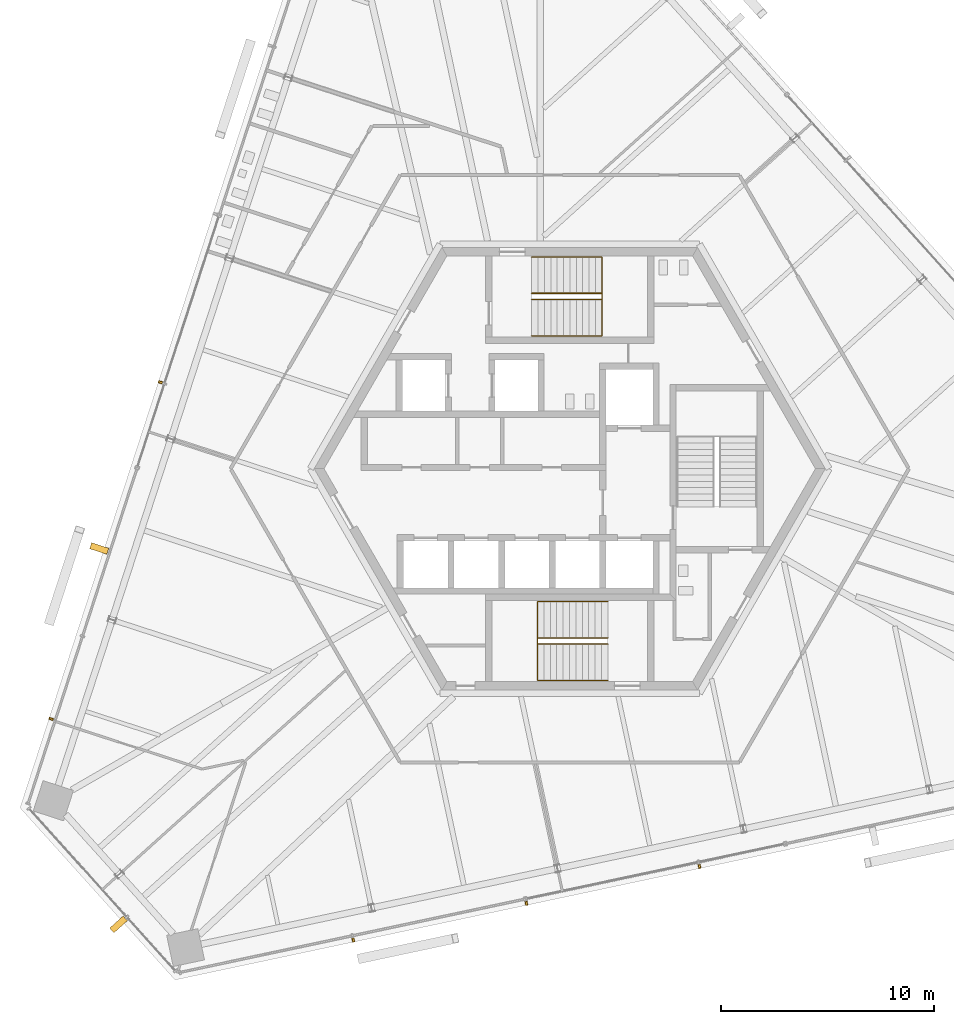
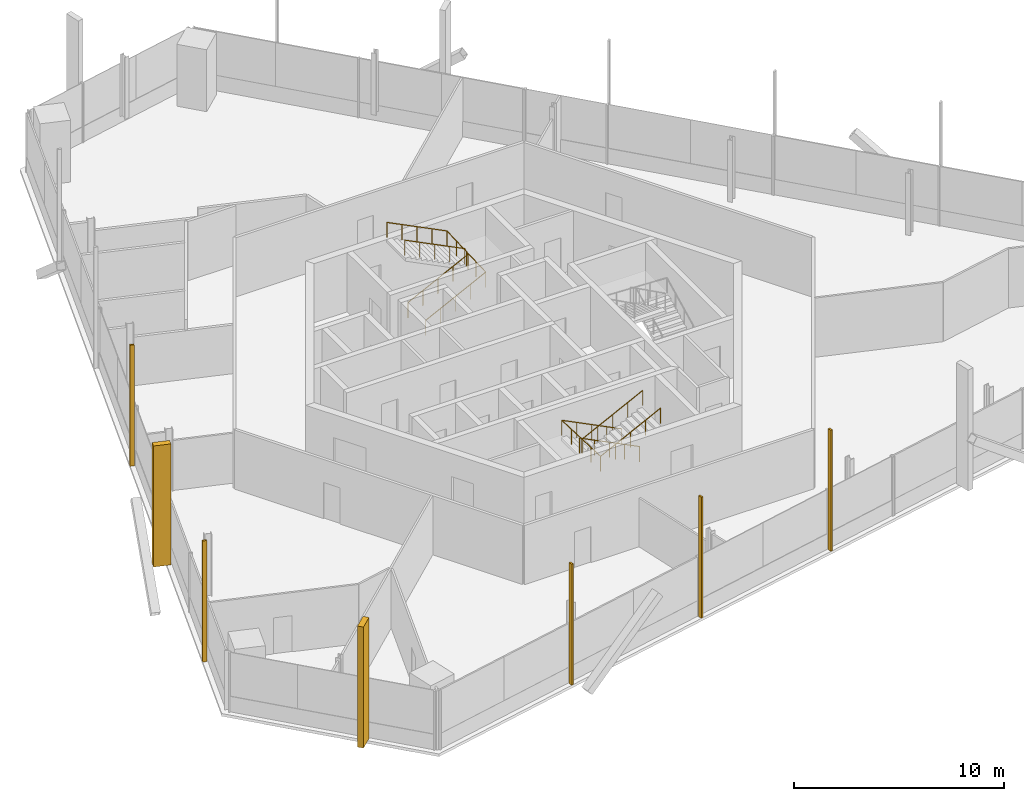
# One storey, part 13 of 16: 7 shading devices, 4 railings.
"""IFC4 building model written with IfcOpenShell, lengths in metres."""

from ifc_helpers import new_model, si_unit, direction, frame, origin, origin_2d, place, context, subcontext, project, spatial, rectangle, circle, extrude, source, transform, mapped, material, type_object, element, save


model = new_model("IFC4")

# Units and contexts
model_context = context("Model", 3, precision=1e-05, world=origin(), true_north=direction((0.0, 1.0)))
body_context = subcontext(model_context, "Body", "Model", "MODEL_VIEW")
ifc_project = project(units=[si_unit("LENGTHUNIT", "METRE"), si_unit("AREAUNIT", "SQUARE_METRE"), si_unit("VOLUMEUNIT", "CUBIC_METRE"), si_unit("PLANEANGLEUNIT", "RADIAN"), si_unit("MASSUNIT", "GRAM", prefix="KILO")], contexts=[model_context])

# Site, building, storey
site_placement = place(None, origin())
site = spatial("IfcSite", under=ifc_project, at=site_placement, CompositionType="ELEMENT")
building_placement = place(site_placement, origin())
building = spatial("IfcBuilding", under=site, at=building_placement, Name="Triune Harvest Tower", CompositionType="ELEMENT")
storey_placement = place(building_placement, frame((0.0, 0.0, 266.699951171875)))
storey = spatial("IfcBuildingStorey", under=building, at=storey_placement, Name="L70", CompositionType="ELEMENT", Elevation=266.699951171875)

# Railings
ifc_material_1 = material(Name="Stainless steel AISI 316", Category="steel")
railing_type = type_object("IfcRailingType", Name="Stair handrail", PredefinedType="HANDRAIL", material=ifc_material_1)
shared_shape_1 = source(origin(), body_context, "Body", "SweptSolid", [
    extrude(circle(Radius=0.02392578125, at=origin_2d()), frame((0.0, 0.0, 0.8759765625), z_axis=(0.894440424912, 0.0, 0.447187126696), x_axis=(0.0, 1.0, 0.0)), (0.0, 0.0, 1.0), 3.689453125),
    extrude(circle(Radius=0.02392578125, at=origin_2d()), frame((3.300048828125, 0.0, 2.52587890625), z_axis=(0.0, 0.999180289278, 0.040481471304), x_axis=(-1.0, 0.0, 0.0)), (0.0, 0.0, 1.0), 3.702880859375),
    extrude(circle(Radius=0.02392578125, at=origin_2d()), frame((3.300048828125, 3.699951171875, 2.67578125), z_axis=(-0.894413956696, 0.0, 0.447240063129), x_axis=(0.0, -1.0, 0.0)), (0.0, 0.0, 1.0), 3.689697265625),
    extrude(circle(Radius=0.02099609375, at=origin_2d()), origin(), (0.0, 0.0, 1.0), 0.851806640625),
    extrude(circle(Radius=0.02099609375, at=origin_2d()), frame((0.824951171875, 0.0, 0.41259765625)), (0.0, 0.0, 1.0), 0.851806640625),
    extrude(circle(Radius=0.02099609375, at=origin_2d()), frame((1.64990234375, 0.0, 0.824951171875)), (0.0, 0.0, 1.0), 0.851806640625),
    extrude(circle(Radius=0.02099609375, at=origin_2d()), frame((2.47509765625, 0.0, 1.2373046875)), (0.0, 0.0, 1.0), 0.851806640625),
    extrude(circle(Radius=0.02099609375, at=origin_2d()), frame((3.300048828125, 0.0, 1.64990234375)), (0.0, 0.0, 1.0), 0.851806640625),
    extrude(circle(Radius=0.02099609375, at=origin_2d()), frame((3.300048828125, 0.925048828125, 1.6875)), (0.0, 0.0, 1.0), 0.851806640625),
    extrude(circle(Radius=0.02099609375, at=origin_2d()), frame((3.300048828125, 1.85009765625, 1.724853515625)), (0.0, 0.0, 1.0), 0.851806640625),
    extrude(circle(Radius=0.02099609375, at=origin_2d()), frame((3.300048828125, 2.77490234375, 1.76220703125)), (0.0, 0.0, 1.0), 0.851806640625),
    extrude(circle(Radius=0.02099609375, at=origin_2d()), frame((3.300048828125, 3.699951171875, 1.7998046875)), (0.0, 0.0, 1.0), 0.851806640625),
    extrude(circle(Radius=0.02099609375, at=origin_2d()), frame((2.47509765625, 3.699951171875, 2.21240234375)), (0.0, 0.0, 1.0), 0.851806640625),
    extrude(circle(Radius=0.02099609375, at=origin_2d()), frame((1.64990234375, 3.699951171875, 2.625)), (0.0, 0.0, 1.0), 0.851806640625),
    extrude(circle(Radius=0.02099609375, at=origin_2d()), frame((0.824951171875, 3.699951171875, 3.037353515625)), (0.0, 0.0, 1.0), 0.851806640625),
    extrude(circle(Radius=0.02099609375, at=origin_2d()), frame((0.0, 3.699951171875, 3.449951171875)), (0.0, 0.0, 1.0), 0.851806640625),
])
railing_1_placement = place(storey_placement, frame((-1.7900390625, 6.239990234375, 0.150146484375)))
element("IfcRailing", 1, at=railing_1_placement, inside=storey, type_object=railing_type, Name="Exit stair north wall handrail", PredefinedType="HANDRAIL", context=body_context, shape_type="MappedRepresentation", body=[
    mapped(shared_shape_1, transform((0.0, 0.0, 0.0), scale=1.0)),
])
shared_shape_2 = source(origin(), body_context, "Body", "SweptSolid", [
    extrude(circle(Radius=0.02392578125, at=origin_2d()), frame((0.0, 0.0, 0.8759765625), z_axis=(0.894440424912, 0.0, 0.447187126696), x_axis=(0.0, 1.0, 0.0)), (0.0, 0.0, 1.0), 3.689453125),
    extrude(circle(Radius=0.02392578125, at=origin_2d()), frame((3.300048828125, 0.0, 2.52587890625), z_axis=(0.0, 0.894572720946, 0.446922417137), x_axis=(-1.0, 0.0, 0.0)), (0.0, 0.0, 1.0), 0.33544921875),
    extrude(circle(Radius=0.02392578125, at=origin_2d()), frame((3.300048828125, 0.300048828125, 2.67578125), z_axis=(-0.894413956696, 0.0, 0.447240063129), x_axis=(0.0, -1.0, 0.0)), (0.0, 0.0, 1.0), 3.689697265625),
    extrude(circle(Radius=0.02099609375, at=origin_2d()), origin(), (0.0, 0.0, 1.0), 0.851806640625),
    extrude(circle(Radius=0.02099609375, at=origin_2d()), frame((0.824951171875, 0.0, 0.41259765625)), (0.0, 0.0, 1.0), 0.851806640625),
    extrude(circle(Radius=0.02099609375, at=origin_2d()), frame((1.64990234375, 0.0, 0.824951171875)), (0.0, 0.0, 1.0), 0.851806640625),
    extrude(circle(Radius=0.02099609375, at=origin_2d()), frame((2.47509765625, 0.0, 1.2373046875)), (0.0, 0.0, 1.0), 0.851806640625),
    extrude(circle(Radius=0.02099609375, at=origin_2d()), frame((3.300048828125, 0.0, 1.64990234375)), (0.0, 0.0, 1.0), 0.851806640625),
    extrude(circle(Radius=0.02099609375, at=origin_2d()), frame((3.300048828125, 0.300048828125, 1.7998046875)), (0.0, 0.0, 1.0), 0.851806640625),
    extrude(circle(Radius=0.02099609375, at=origin_2d()), frame((2.47509765625, 0.300048828125, 2.21240234375)), (0.0, 0.0, 1.0), 0.851806640625),
    extrude(circle(Radius=0.02099609375, at=origin_2d()), frame((1.64990234375, 0.300048828125, 2.625)), (0.0, 0.0, 1.0), 0.851806640625),
    extrude(circle(Radius=0.02099609375, at=origin_2d()), frame((0.824951171875, 0.300048828125, 3.037353515625)), (0.0, 0.0, 1.0), 0.851806640625),
    extrude(circle(Radius=0.02099609375, at=origin_2d()), frame((0.0, 0.300048828125, 3.449951171875)), (0.0, 0.0, 1.0), 0.851806640625),
])
railing_2_placement = place(storey_placement, frame((-1.7900390625, 7.93994140625, 0.150146484375)))
element("IfcRailing", 2, at=railing_2_placement, inside=storey, type_object=railing_type, Name="Exit stair north centre handrail", PredefinedType="HANDRAIL", context=body_context, shape_type="MappedRepresentation", body=[
    mapped(shared_shape_2, transform((0.0, 0.0, 0.0), scale=1.0)),
])
shared_shape_3 = source(origin(), body_context, "Body", "SweptSolid", [
    extrude(circle(Radius=0.02392578125, at=origin_2d()), frame((0.0, 0.0, 0.8759765625), z_axis=(-0.894440424912, 0.0, 0.447187126696), x_axis=(0.0, -1.0, 0.0)), (0.0, 0.0, 1.0), 3.689453125),
    extrude(circle(Radius=0.02392578125, at=origin_2d()), frame((-3.300048828125, 0.0, 2.52587890625), z_axis=(0.0, -0.999180289278, 0.040481471304), x_axis=(1.0, 0.0, 0.0)), (0.0, 0.0, 1.0), 3.702880859375),
    extrude(circle(Radius=0.02392578125, at=origin_2d()), frame((-3.300048828125, -3.699951171875, 2.67578125), z_axis=(0.894413956696, 0.0, 0.447240063129), x_axis=(0.0, 1.0, 0.0)), (0.0, 0.0, 1.0), 3.689697265625),
    extrude(circle(Radius=0.02099609375, at=origin_2d()), origin(), (0.0, 0.0, 1.0), 0.851806640625),
    extrude(circle(Radius=0.02099609375, at=origin_2d()), frame((-0.824951171875, 0.0, 0.41259765625)), (0.0, 0.0, 1.0), 0.851806640625),
    extrude(circle(Radius=0.02099609375, at=origin_2d()), frame((-1.64990234375, 0.0, 0.824951171875)), (0.0, 0.0, 1.0), 0.851806640625),
    extrude(circle(Radius=0.02099609375, at=origin_2d()), frame((-2.47509765625, 0.0, 1.2373046875)), (0.0, 0.0, 1.0), 0.851806640625),
    extrude(circle(Radius=0.02099609375, at=origin_2d()), frame((-3.300048828125, 0.0, 1.64990234375)), (0.0, 0.0, 1.0), 0.851806640625),
    extrude(circle(Radius=0.02099609375, at=origin_2d()), frame((-3.300048828125, -0.925048828125, 1.6875)), (0.0, 0.0, 1.0), 0.851806640625),
    extrude(circle(Radius=0.02099609375, at=origin_2d()), frame((-3.300048828125, -1.85009765625, 1.724853515625)), (0.0, 0.0, 1.0), 0.851806640625),
    extrude(circle(Radius=0.02099609375, at=origin_2d()), frame((-3.300048828125, -2.77490234375, 1.76220703125)), (0.0, 0.0, 1.0), 0.851806640625),
    extrude(circle(Radius=0.02099609375, at=origin_2d()), frame((-3.300048828125, -3.699951171875, 1.7998046875)), (0.0, 0.0, 1.0), 0.851806640625),
    extrude(circle(Radius=0.02099609375, at=origin_2d()), frame((-2.47509765625, -3.699951171875, 2.21240234375)), (0.0, 0.0, 1.0), 0.851806640625),
    extrude(circle(Radius=0.02099609375, at=origin_2d()), frame((-1.64990234375, -3.699951171875, 2.625)), (0.0, 0.0, 1.0), 0.851806640625),
    extrude(circle(Radius=0.02099609375, at=origin_2d()), frame((-0.824951171875, -3.699951171875, 3.037353515625)), (0.0, 0.0, 1.0), 0.851806640625),
    extrude(circle(Radius=0.02099609375, at=origin_2d()), frame((0.0, -3.699951171875, 3.449951171875)), (0.0, 0.0, 1.0), 0.851806640625),
])
railing_3_placement = place(storey_placement, frame((1.7900390625, -6.239990234375, 0.150146484375)))
element("IfcRailing", 3, at=railing_3_placement, inside=storey, type_object=railing_type, Name="Exit stair south wall handrail", PredefinedType="HANDRAIL", context=body_context, shape_type="MappedRepresentation", body=[
    mapped(shared_shape_3, transform((0.0, 0.0, 0.0), scale=1.0)),
])
shared_shape_4 = source(origin(), body_context, "Body", "SweptSolid", [
    extrude(circle(Radius=0.02392578125, at=origin_2d()), frame((0.0, 0.0, 0.8759765625), z_axis=(-0.894440424912, 0.0, 0.447187126696), x_axis=(0.0, -1.0, 0.0)), (0.0, 0.0, 1.0), 3.689453125),
    extrude(circle(Radius=0.02392578125, at=origin_2d()), frame((-3.300048828125, 0.0, 2.52587890625), z_axis=(0.0, -0.894572720946, 0.446922417137), x_axis=(1.0, 0.0, 0.0)), (0.0, 0.0, 1.0), 0.33544921875),
    extrude(circle(Radius=0.02392578125, at=origin_2d()), frame((-3.300048828125, -0.300048828125, 2.67578125), z_axis=(0.894413956696, 0.0, 0.447240063129), x_axis=(0.0, 1.0, 0.0)), (0.0, 0.0, 1.0), 3.689697265625),
    extrude(circle(Radius=0.02099609375, at=origin_2d()), origin(), (0.0, 0.0, 1.0), 0.851806640625),
    extrude(circle(Radius=0.02099609375, at=origin_2d()), frame((-0.824951171875, 0.0, 0.41259765625)), (0.0, 0.0, 1.0), 0.851806640625),
    extrude(circle(Radius=0.02099609375, at=origin_2d()), frame((-1.64990234375, 0.0, 0.824951171875)), (0.0, 0.0, 1.0), 0.851806640625),
    extrude(circle(Radius=0.02099609375, at=origin_2d()), frame((-2.47509765625, 0.0, 1.2373046875)), (0.0, 0.0, 1.0), 0.851806640625),
    extrude(circle(Radius=0.02099609375, at=origin_2d()), frame((-3.300048828125, 0.0, 1.64990234375)), (0.0, 0.0, 1.0), 0.851806640625),
    extrude(circle(Radius=0.02099609375, at=origin_2d()), frame((-3.300048828125, -0.300048828125, 1.7998046875)), (0.0, 0.0, 1.0), 0.851806640625),
    extrude(circle(Radius=0.02099609375, at=origin_2d()), frame((-2.47509765625, -0.300048828125, 2.21240234375)), (0.0, 0.0, 1.0), 0.851806640625),
    extrude(circle(Radius=0.02099609375, at=origin_2d()), frame((-1.64990234375, -0.300048828125, 2.625)), (0.0, 0.0, 1.0), 0.851806640625),
    extrude(circle(Radius=0.02099609375, at=origin_2d()), frame((-0.824951171875, -0.300048828125, 3.037353515625)), (0.0, 0.0, 1.0), 0.851806640625),
    extrude(circle(Radius=0.02099609375, at=origin_2d()), frame((0.0, -0.300048828125, 3.449951171875)), (0.0, 0.0, 1.0), 0.851806640625),
])
railing_4_placement = place(storey_placement, frame((1.7900390625, -7.93994140625, 0.150146484375)))
element("IfcRailing", 4, at=railing_4_placement, inside=storey, type_object=railing_type, Name="Exit stair south centre handrail", PredefinedType="HANDRAIL", context=body_context, shape_type="MappedRepresentation", body=[
    mapped(shared_shape_4, transform((0.0, 0.0, 0.0), scale=1.0)),
])

# Shading devices
ifc_material_2 = material(Name="Aluminium bronze anodised", Category="aluminium")
shared_shape_5 = source(origin(), body_context, "Body", "SweptSolid", [
    extrude(rectangle(XDim=0.10009765625, YDim=0.199951171875, at=origin_2d()), origin(), (0.0, 0.0, 1.0), 7.0400390625),
])
for number, where, z_axis, x_axis, name in (
    (5, (-19.216064453125, 4.058837890625, 0.0), (0.0, 0.0, 1.0), (-0.309016354995, -0.951056724042, 0.0), "FN-1 fin B7-F3.7 L70"),
    (6, (-24.35302734375, -11.750732421875, 0.0), (0.0, 0.0, 1.0), (-0.309016354995, -0.951056724042, 0.0), "FN-1 fin B7-F3.11 L70"),
    (7, (-10.1669921875, -22.127197265625, 0.0), (0.0, 0.0, 1.0), (0.978147751834, 0.207910979944, 0.0), "FN-1 fin B7-F5.3 L70"),
    (8, (-2.036865234375, -20.399169921875, 0.0), (0.0, 0.0, 1.0), (0.978147751834, 0.207910979944, 0.0), "FN-1 fin B7-F5.5 L70"),
    (9, (6.093017578125, -18.671142578125, 0.0), (0.0, 0.0, 1.0), (0.978147751834, 0.207910979944, 0.0), "FN-1 fin B7-F5.7 L70"),
):
    element("IfcShadingDevice", number, at=place(storey_placement, frame(where, z_axis=z_axis, x_axis=x_axis)), inside=storey, material=ifc_material_2, Name=name, ObjectType="FIN", PredefinedType="USERDEFINED", context=body_context, shape_type="MappedRepresentation", body=[
        mapped(shared_shape_5, transform((0.0, 0.0, 0.0), scale=1.0)),
    ])
shared_shape_6 = source(origin(), body_context, "Body", "SweptSolid", [
    extrude(rectangle(XDim=0.300048828125, YDim=0.85009765625, at=origin_2d()), origin(), (0.0, 0.0, 1.0), 7.0400390625),
])
for number, where, z_axis, x_axis, name in (
    (10, (-22.09375, -3.74560546875, 0.0), (0.0, 0.0, 1.0), (-0.309016354995, -0.951056724042, 0.0), "FN-2 fin B7-F3.9 L70"),
    (11, (-21.186279296875, -21.398193359375, 0.0), (0.0, 0.0, 1.0), (0.669132031472, -0.743143542297, 0.0), "FN-2 fin B7-F4.3 L70"),
):
    element("IfcShadingDevice", number, at=place(storey_placement, frame(where, z_axis=z_axis, x_axis=x_axis)), inside=storey, material=ifc_material_2, Name=name, ObjectType="FIN", PredefinedType="USERDEFINED", context=body_context, shape_type="MappedRepresentation", body=[
        mapped(shared_shape_6, transform((0.0, 0.0, 0.0), scale=1.0)),
    ])

save(model, "model.ifc")
